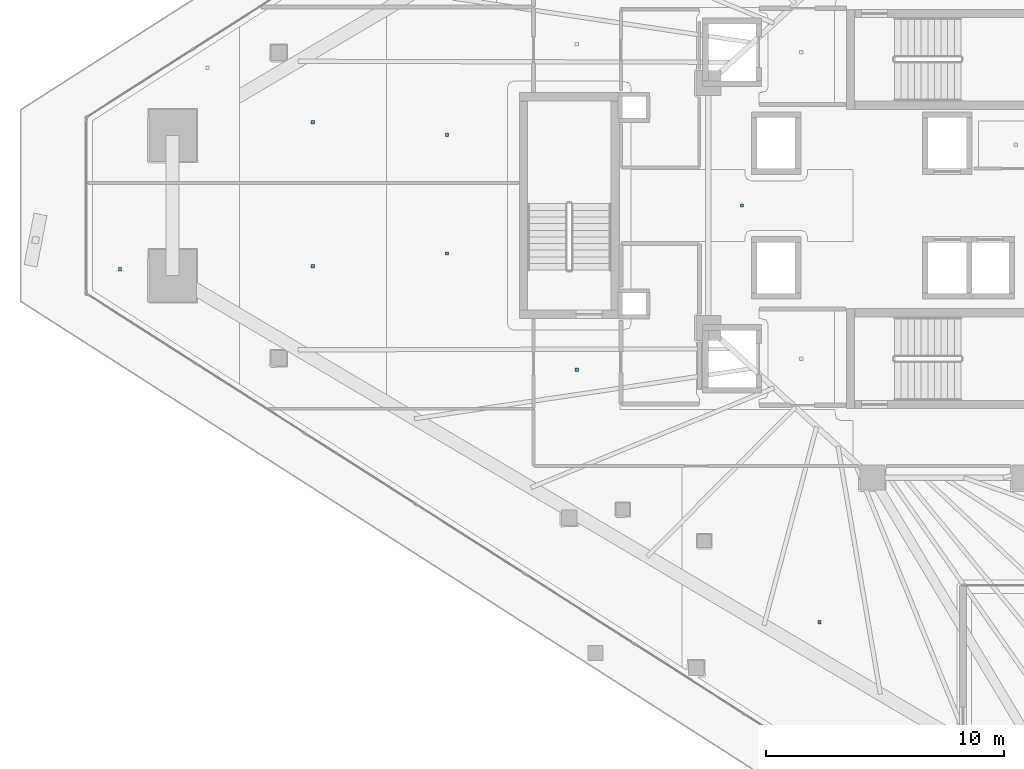
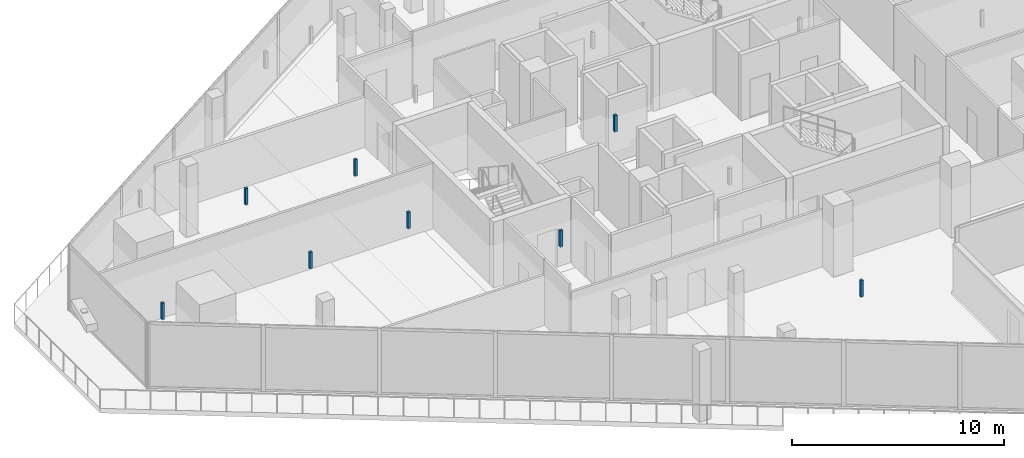
# One storey, part 29 of 39: 8 discrete accessories.
"""IFC4 building model written with IfcOpenShell, lengths in metres."""

from ifc_helpers import new_model, si_unit, direction, frame, origin, origin_2d, place, context, subcontext, project, spatial, rectangle, extrude, material, type_object, element, save


model = new_model("IFC4")

# Units and contexts
model_context = context("Model", 3, precision=1e-05, world=origin(), true_north=direction((0.0, 1.0)))
body_context = subcontext(model_context, "Body", "Model", "MODEL_VIEW")
ifc_project = project(units=[si_unit("LENGTHUNIT", "METRE"), si_unit("AREAUNIT", "SQUARE_METRE"), si_unit("VOLUMEUNIT", "CUBIC_METRE"), si_unit("PLANEANGLEUNIT", "RADIAN"), si_unit("MASSUNIT", "GRAM", prefix="KILO")], contexts=[model_context])

# Site, building, storey
site_placement = place(None, origin())
site = spatial("IfcSite", under=ifc_project, at=site_placement, CompositionType="ELEMENT")
building_placement = place(site_placement, origin())
building = spatial("IfcBuilding", under=site, at=building_placement, Name="Qorvath Tower", CompositionType="ELEMENT")
storey_placement = place(building_placement, frame((0.0, 0.0, 154.35009765625)))
storey = spatial("IfcBuildingStorey", under=building, at=storey_placement, Name="L35", CompositionType="ELEMENT", Elevation=154.35009765625)

# Discrete accessories
ifc_material = material(Name="Galvanised steel bracket", Category="steel")
discrete_accessory_type = type_object("IfcDiscreteAccessoryType", Name="DA-BRACKET", PredefinedType="BRACKET", material=ifc_material)
for number, where, z_axis, x_axis, name in (
    (1, (-36.04150390625, -6.906982421875, 2.85986328125), (0.0, 0.0, 1.0), (1.0, 0.0, 0.0), "Acoustic Ceiling Suspension Hanger T1-L35-006"),
    (2, (-29.090576171875, 0.0, 2.85986328125), (0.0, 0.0, 1.0), (1.0, 0.0, 0.0), "Acoustic Ceiling Suspension Hanger T1-L35-008"),
    (3, (-25.8251953125, -17.53857421875, 2.85986328125), (0.0, 0.0, 1.0), (1.0, 0.0, 0.0), "Acoustic Ceiling Suspension Hanger T1-L35-018"),
    (4, (-55.263671875, -2.68603515625, 2.85986328125), (0.0, 0.0, 1.0), (1.0, 0.0, 0.0), "Acoustic Ceiling Suspension Hanger T1-L35-027"),
    (5, (-47.14599609375, -2.554443359375, 2.85986328125), (0.0, 0.0, 1.0), (1.0, 0.0, 0.0), "Acoustic Ceiling Suspension Hanger T1-L35-028"),
    (6, (-41.500732421875, -2.020751953125, 2.85986328125), (0.0, 0.0, 1.0), (1.0, 0.0, 0.0), "Acoustic Ceiling Suspension Hanger T1-L35-029"),
    (7, (-47.14599609375, 3.5029296875, 2.85986328125), (0.0, 0.0, 1.0), (1.0, 0.0, 0.0), "Acoustic Ceiling Suspension Hanger T1-L35-031"),
    (8, (-41.500732421875, 2.97802734375, 2.85986328125), (0.0, 0.0, 1.0), (1.0, 0.0, 0.0), "Acoustic Ceiling Suspension Hanger T1-L35-032"),
):
    element("IfcDiscreteAccessory", number, at=place(storey_placement, frame(where, z_axis=z_axis, x_axis=x_axis)), inside=storey, type_object=discrete_accessory_type, Name=name, PredefinedType="NOTDEFINED", context=body_context, shape_type="SweptSolid", body=[
        extrude(rectangle(XDim=0.139892578125, YDim=0.139892578125, at=origin_2d()), origin(), (0.0, 0.0, 1.0), 0.949951171875),
    ])

save(model, "model.ifc")
